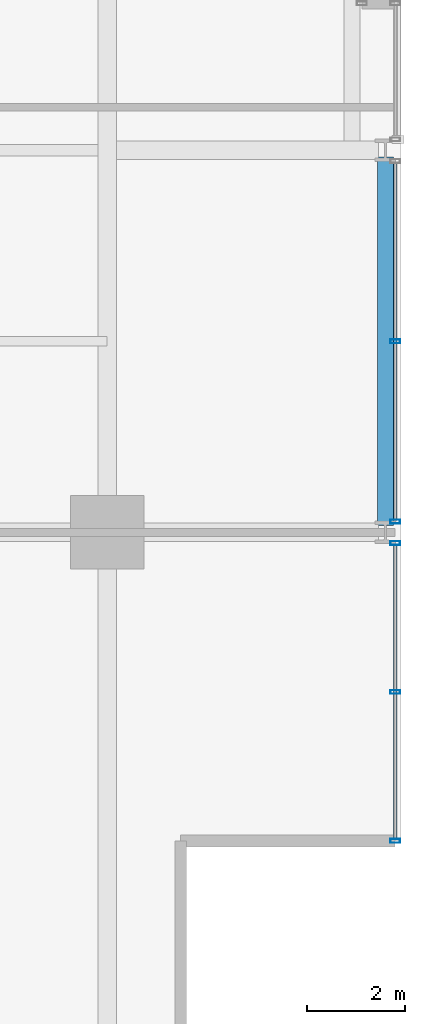
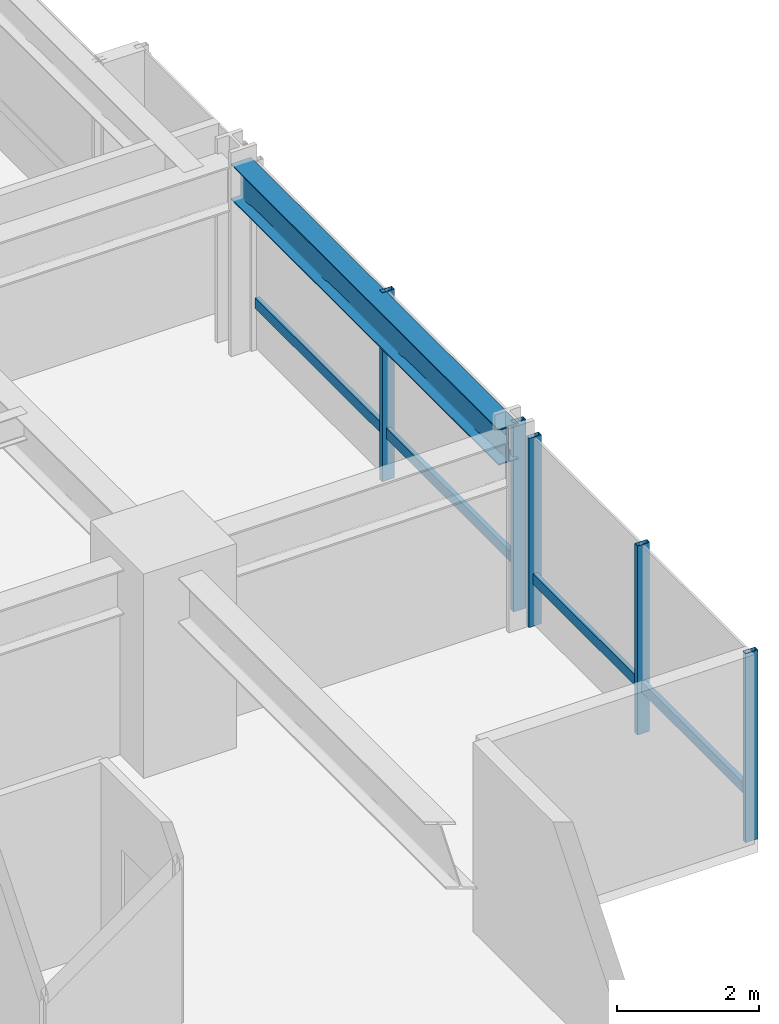
# One storey, part 13 of 33: 7 members, 1 beam, 2 elements without a shape of their own.
"""IFC4 building model written with IfcOpenShell, lengths in metres."""

from ifc_helpers import new_model, si_unit, direction, frame, origin, origin_2d, place, context, subcontext, project, spatial, hollow_rectangle, i_section, extrude, material, layer, layer_set, material_profile, profile_set, type_object, element, aggregate, save


model = new_model("IFC4")

# Units and contexts
model_context = context("Model", 3, precision=1e-05, world=origin(), true_north=direction((0.0, 1.0)))
body_context = subcontext(model_context, "Body", "Model", "MODEL_VIEW")
ifc_project = project(units=[si_unit("LENGTHUNIT", "METRE"), si_unit("AREAUNIT", "SQUARE_METRE"), si_unit("VOLUMEUNIT", "CUBIC_METRE"), si_unit("PLANEANGLEUNIT", "RADIAN"), si_unit("MASSUNIT", "GRAM", prefix="KILO")], contexts=[model_context])

# Site, building, storey
site_placement = place(None, origin())
site = spatial("IfcSite", under=ifc_project, at=site_placement, CompositionType="ELEMENT")
building_placement = place(site_placement, origin())
building = spatial("IfcBuilding", under=site, at=building_placement, Name="Drelvath Grand Hotel", CompositionType="ELEMENT")
storey_placement = place(building_placement, frame((0.0, 0.0, 105.800048828125)))
storey = spatial("IfcBuildingStorey", under=building, at=storey_placement, Name="L26", CompositionType="ELEMENT", Elevation=105.800048828125)

# Curtain wall, member
ifc_material_1 = material(Name="Champagne Bronze Anodised Aluminium Frame", Category="aluminium")
ifc_layer = layer(ifc_material_1, 0.199951171875)
ifc_layer_set = layer_set([ifc_layer], Name="Champagne Bronze Anodised Aluminium Frame")
curtain_wall_type = type_object("IfcCurtainWallType", Name="Stick Curtain Wall CW-03 Champagne Bronze Mid-Rise", PredefinedType="NOTDEFINED", material=ifc_layer_set)
curtain_wall_1_placement = place(storey_placement, origin())
curtain_wall_1 = element("IfcCurtainWall", 1, at=curtain_wall_1_placement, inside=storey, type_object=curtain_wall_type, Name="L26 CW-03 Curtain Wall CW03-L26-ES1", PredefinedType="NOTDEFINED")
ifc_material_profile_1 = material_profile(ifc_material_1, hollow_rectangle(XDim=0.074951171875, YDim=0.179931640625, WallThickness=0.0048828125, at=origin_2d()), Name="HSS180X75X5")
ifc_profile_set_1 = profile_set([ifc_material_profile_1], Name="Champagne Bronze Anodised Aluminium Frame")
member_type_1 = type_object("IfcMemberType", Name="Curtain Wall Horizontal Transom CW-03 HSS180X75X5", PredefinedType="USERDEFINED", material=ifc_profile_set_1)
member_1_placement = place(storey_placement, frame((22.080078125, 10.540283203125, 0.81005859375), z_axis=(0.0, -1.0, 0.0), x_axis=(1.0, 0.0, 0.0)))
member_1 = element("IfcMember", 2, at=member_1_placement, type_object=member_type_1, Name="CW03-L26-ES1 Sill Transom", ObjectType="TRANSOM", PredefinedType="USERDEFINED", context=body_context, shape_type="SweptSolid", body=[
    extrude(hollow_rectangle(XDim=0.074951171875, YDim=0.179931640625, WallThickness=0.0048828125, at=origin_2d()), origin(), (0.0, 0.0, 1.0), 6.000244140625),
])

curtain_wall_2_placement = place(storey_placement, origin())
curtain_wall_2 = element("IfcCurtainWall", 3, at=curtain_wall_2_placement, inside=storey, type_object=curtain_wall_type, Name="L26 CW-03 Curtain Wall CW03-L26-ES2", PredefinedType="NOTDEFINED")
member_2_placement = place(storey_placement, frame((22.080078125, 18.34033203125, 0.81005859375), z_axis=(0.0, -1.0, 0.0), x_axis=(1.0, 0.0, 0.0)))
member_2 = element("IfcMember", 4, at=member_2_placement, type_object=member_type_1, Name="CW03-L26-ES2 Sill Transom", ObjectType="TRANSOM", PredefinedType="USERDEFINED", context=body_context, shape_type="SweptSolid", body=[
    extrude(hollow_rectangle(XDim=0.074951171875, YDim=0.179931640625, WallThickness=0.0048828125, at=origin_2d()), origin(), (0.0, 0.0, 1.0), 7.28076171875),
])

# Member
ifc_material_profile_2 = material_profile(ifc_material_1, hollow_rectangle(XDim=0.080078125, YDim=0.199951171875, WallThickness=0.0048828125, at=origin_2d()), Name="HSS200X80X5")
ifc_profile_set_2 = profile_set([ifc_material_profile_2], Name="Champagne Bronze Anodised Aluminium Frame")
member_type_2 = type_object("IfcMemberType", Name="Curtain Wall Vertical Mullion CW-03 HSS200X80X5", PredefinedType="MULLION", material=ifc_profile_set_2)
member_3_placement = place(storey_placement, frame((22.080078125, 10.580322265625, 0.0), z_axis=(0.0, 0.0, 1.0), x_axis=(0.0, 1.0, 0.0)))
member_3 = element("IfcMember", 5, at=member_3_placement, type_object=member_type_2, Name="CW03-L26-ES1 Mullion 1", PredefinedType="MULLION", context=body_context, shape_type="SweptSolid", body=[
    extrude(hollow_rectangle(XDim=0.080078125, YDim=0.199951171875, WallThickness=0.0048828125, at=origin_2d()), origin(), (0.0, 0.0, 1.0), 3.239990234375),
])

member_4_placement = place(storey_placement, frame((22.080078125, 7.540283203125, 0.0), z_axis=(0.0, 0.0, 1.0), x_axis=(0.0, 1.0, 0.0)))
member_4 = element("IfcMember", 6, at=member_4_placement, type_object=member_type_2, Name="CW03-L26-ES1 Mullion 2", PredefinedType="MULLION", context=body_context, shape_type="SweptSolid", body=[
    extrude(hollow_rectangle(XDim=0.080078125, YDim=0.199951171875, WallThickness=0.0048828125, at=origin_2d()), origin(), (0.0, 0.0, 1.0), 3.239990234375),
])

member_5_placement = place(storey_placement, frame((22.080078125, 4.5, 0.0), z_axis=(0.0, 0.0, 1.0), x_axis=(0.0, 1.0, 0.0)))
member_5 = element("IfcMember", 7, at=member_5_placement, type_object=member_type_2, Name="CW03-L26-ES1 Mullion 3", PredefinedType="MULLION", context=body_context, shape_type="SweptSolid", body=[
    extrude(hollow_rectangle(XDim=0.080078125, YDim=0.199951171875, WallThickness=0.0048828125, at=origin_2d()), origin(), (0.0, 0.0, 1.0), 3.239990234375),
])

aggregate(curtain_wall_1, [member_3, member_4, member_5, member_1])

member_6_placement = place(storey_placement, frame((22.080078125, 14.699951171875, 0.0), z_axis=(0.0, 0.0, 1.0), x_axis=(0.0, 1.0, 0.0)))
member_6 = element("IfcMember", 8, at=member_6_placement, type_object=member_type_2, Name="CW03-L26-ES2 Mullion 2", PredefinedType="MULLION", context=body_context, shape_type="SweptSolid", body=[
    extrude(hollow_rectangle(XDim=0.080078125, YDim=0.199951171875, WallThickness=0.0048828125, at=origin_2d()), origin(), (0.0, 0.0, 1.0), 3.239990234375),
])

member_7_placement = place(storey_placement, frame((22.080078125, 11.01953125, 0.0), z_axis=(0.0, 0.0, 1.0), x_axis=(0.0, 1.0, 0.0)))
member_7 = element("IfcMember", 9, at=member_7_placement, type_object=member_type_2, Name="CW03-L26-ES2 Mullion 3", PredefinedType="MULLION", context=body_context, shape_type="SweptSolid", body=[
    extrude(hollow_rectangle(XDim=0.080078125, YDim=0.199951171875, WallThickness=0.0048828125, at=origin_2d()), origin(), (0.0, 0.0, 1.0), 3.239990234375),
])

aggregate(curtain_wall_2, [member_6, member_7, member_2])

# Beam
ifc_material_2 = material(Name="Steel ASTM A992 Gr 50", Category="steel")
ifc_material_profile_3 = material_profile(ifc_material_2, i_section(OverallWidth=0.323974609375, OverallDepth=0.611083984375, WebThickness=0.0126953125, FlangeThickness=0.01904296875, FilletRadius=0.02197265625, at=origin_2d()), Name="W24X104")
ifc_profile_set_3 = profile_set([ifc_material_profile_3], Name="Steel ASTM A992 Gr 50")
beam_type = type_object("IfcBeamType", Name="Perimeter Spandrel Beam W24X104", PredefinedType="SPANDREL", material=ifc_profile_set_3)
beam_placement = place(storey_placement, frame((21.8798828125, 10.93994140625, 2.9345703125), z_axis=(0.0, 1.0, 0.0), x_axis=(-1.0, 0.0, 0.0)))
element("IfcBeam", 10, at=beam_placement, inside=storey, type_object=beam_type, Name="L26 Spandrel East S", PredefinedType="SPANDREL", context=body_context, shape_type="SweptSolid", body=[
    extrude(i_section(OverallWidth=0.323974609375, OverallDepth=0.611083984375, WebThickness=0.0126953125, FlangeThickness=0.01904296875, FilletRadius=0.02197265625, at=origin_2d()), origin(), (0.0, 0.0, 1.0), 7.52001953125),
])

save(model, "model.ifc")
